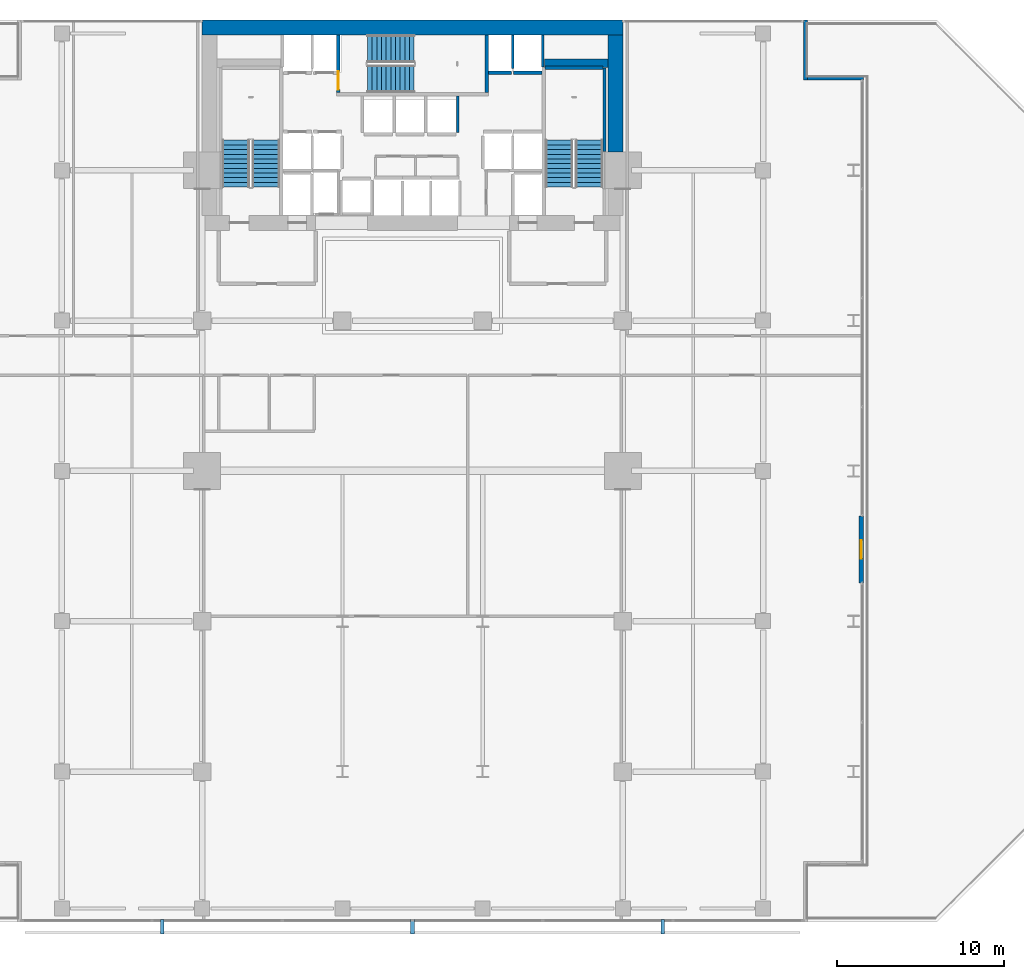
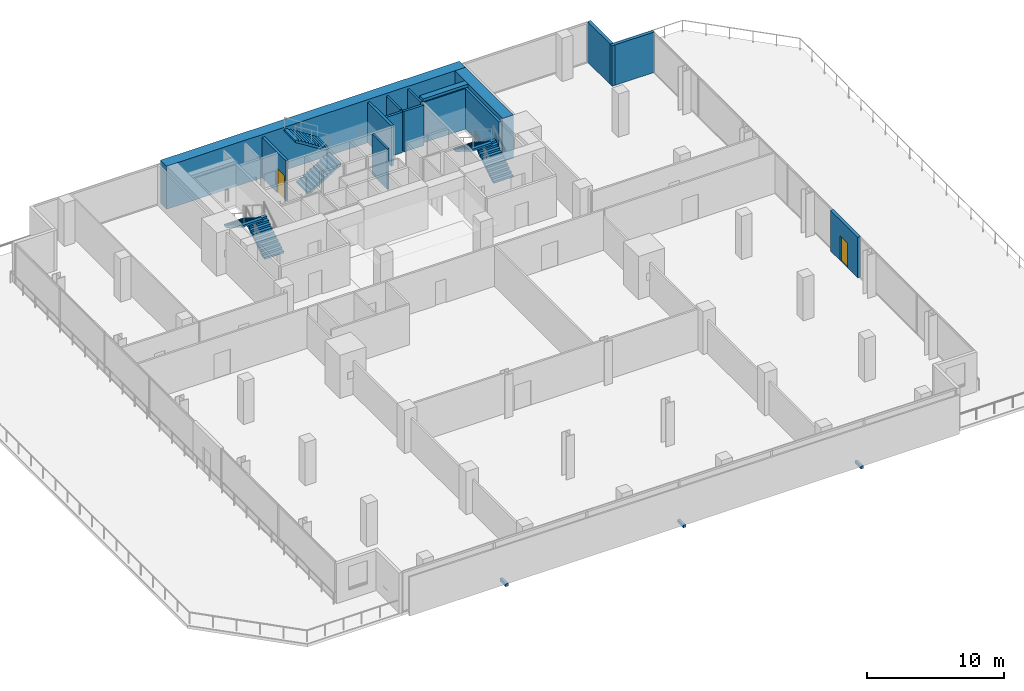
# One storey, part 27 of 31: 15 walls, 6 stair flights, 3 discrete accessories, 2 doors, 2 openings, 3 elements without a shape of their own.
"""IFC4 building model written with IfcOpenShell, lengths in metres."""

from ifc_helpers import new_model, si_unit, direction, frame, frame_2d, origin, origin_2d, place, context, subcontext, project, spatial, polyline, rectangle, outline, extrude, material, layer, layer_set, type_object, element, fill, aggregate, save


model = new_model("IFC4")

# Units and contexts
model_context = context("Model", 3, precision=1e-05, world=origin(), true_north=direction((0.0, 1.0)))
body_context = subcontext(model_context, "Body", "Model", "MODEL_VIEW")
ifc_project = project(units=[si_unit("LENGTHUNIT", "METRE"), si_unit("AREAUNIT", "SQUARE_METRE"), si_unit("VOLUMEUNIT", "CUBIC_METRE"), si_unit("PLANEANGLEUNIT", "RADIAN"), si_unit("MASSUNIT", "GRAM", prefix="KILO")], contexts=[model_context])

# Site, building, storey
site_placement = place(None, origin())
site = spatial("IfcSite", under=ifc_project, at=site_placement, CompositionType="ELEMENT")
building_placement = place(site_placement, origin())
building = spatial("IfcBuilding", under=site, at=building_placement, Name="Maruvema Waterfront Hotel and Observation Tower", CompositionType="ELEMENT")
storey_placement = place(building_placement, frame((0.0, 0.0, 26.949951171875)))
storey = spatial("IfcBuildingStorey", under=building, at=storey_placement, Name="L05", CompositionType="ELEMENT", Elevation=26.949951171875)

# Wall
ifc_material_1 = material(Name="Precast concrete C45/55", Category="concrete")
ifc_layer_1 = layer(ifc_material_1, 0.199951171875, Name="Core Shaft and Stairwell Enclosure Wall 200 mm")
ifc_layer_set_1 = layer_set([ifc_layer_1], Name="Precast concrete C45/55")
wall_type_1 = type_object("IfcWallType", Name="Core Shaft and Stairwell Enclosure Wall 200 mm", PredefinedType="SOLIDWALL", material=ifc_layer_set_1)
wall_1_placement = place(storey_placement, frame((42.25, 49.64990234375, 0.0), z_axis=(0.0, 0.0, 1.0), x_axis=(0.0, 1.0, 0.0)))
element("IfcWall", 1, at=wall_1_placement, inside=storey, type_object=wall_type_1, Name="L05 Stairwell ST-02 Shaft Wall", PredefinedType="SOLIDWALL", context=body_context, shape_type="SweptSolid", body=[
    extrude(rectangle(XDim=3.4501953125, YDim=0.199951171875, at=frame_2d((1.72509765625, 0.0))), origin(), (0.0, 0.0, 1.0), 3.610107421875),
])

# Wall, opening, door
wall_2_placement = place(storey_placement, frame((33.35009765625, 49.64990234375, 0.0), z_axis=(0.0, 0.0, 1.0), x_axis=(0.0, 1.0, 0.0)))
wall_2 = element("IfcWall", 2, at=wall_2_placement, inside=storey, type_object=wall_type_1, Name="L05 Stairwell ST-02 Shaft Wall", PredefinedType="SOLIDWALL", context=body_context, shape_type="SweptSolid", body=[
    extrude(rectangle(XDim=3.4501953125, YDim=0.199951171875, at=frame_2d((1.72509765625, 0.0))), origin(), (0.0, 0.0, 1.0), 3.610107421875),
])
opening_1_placement = place(wall_2_placement, frame((0.179931640625, 0.0, 0.0)))
opening_1 = element("IfcOpeningElement", 3, at=opening_1_placement, cuts=wall_2, Name="Opening SD-02", PredefinedType="OPENING", context=body_context, shape_type="SweptSolid", body=[
    extrude(rectangle(XDim=1.10009765625, YDim=2.14990234375, at=frame_2d((0.550048828125, 1.074951171875))), frame((0.0, 0.10986328125, 0.0), z_axis=(0.0, -1.0, 0.0), x_axis=(1.0, 0.0, 0.0)), (0.0, 0.0, 1.0), 0.219970703125),
])
ifc_material_2 = material(Name="Fire-rated galvanised steel leaf", Category="steel")
door_type_1 = type_object("IfcDoorType", Name="Central Exit Stair Fire Door 1100x2150 mm", OperationType="NOTDEFINED", PredefinedType="DOOR", material=ifc_material_2)
door_1_placement = place(opening_1_placement, frame((1.10009765625, 0.0, 0.0), z_axis=(0.0, 0.0, 1.0), x_axis=(-1.0, 0.0, 0.0)))
door_1 = element("IfcDoor", 4, at=door_1_placement, inside=storey, type_object=door_type_1, Name="L05 Exit Stair ST-02 Fire Door", OperationType="SINGLE_SWING_LEFT", OverallHeight=2.14990234375, OverallWidth=1.10009765625, PredefinedType="DOOR", context=body_context, shape_type="SweptSolid", body=[
    extrude(rectangle(XDim=1.10009765625, YDim=2.14990234375, at=frame_2d((0.550048828125, 1.074951171875))), frame((0.0, 0.02490234375, 0.0), z_axis=(0.0, -1.0, 0.0), x_axis=(1.0, 0.0, 0.0)), (0.0, 0.0, 1.0), 0.050048828125),
])
fill(opening_1, door_1)

# Walls
wall_3_placement = place(storey_placement, frame((49.300048828125, 46.1201171875, 0.0), z_axis=(0.0, 0.0, 1.0), x_axis=(0.0, 1.0, 0.0)))
element("IfcWall", 5, at=wall_3_placement, inside=storey, type_object=wall_type_1, Name="L05 Stairwell ST-03 Shaft Lining Wall", PredefinedType="SOLIDWALL", context=body_context, shape_type="SweptSolid", body=[
    extrude(rectangle(XDim=5.0, YDim=0.199951171875, at=frame_2d((2.5, 0.0))), origin(), (0.0, 0.0, 1.0), 3.610107421875),
])
wall_4_placement = place(storey_placement, frame((45.719970703125, 51.14990234375, 0.0), z_axis=(0.0, 0.0, 1.0), x_axis=(1.0, 0.0, 0.0)))
element("IfcWall", 6, at=wall_4_placement, inside=storey, type_object=wall_type_1, Name="L05 Stairwell ST-03 Shaft Lining Wall", PredefinedType="SOLIDWALL", context=body_context, shape_type="SweptSolid", body=[
    extrude(rectangle(XDim=3.5, YDim=0.199951171875, at=frame_2d((1.75, 0.0))), origin(), (0.0, 0.0, 1.0), 3.610107421875),
])
wall_5_placement = place(storey_placement, frame((42.360107421875, 50.85009765625, 0.0), z_axis=(0.0, 0.0, 1.0), x_axis=(1.0, 0.0, 0.0)))
element("IfcWall", 7, at=wall_5_placement, inside=storey, type_object=wall_type_1, Name="L05 Lift LF-07 Hoistway Front Wall", PredefinedType="SOLIDWALL", context=body_context, shape_type="SweptSolid", body=[
    extrude(rectangle(XDim=1.3798828125, YDim=0.199951171875, at=frame_2d((0.68994140625, 0.0))), origin(), (0.0, 0.0, 1.0), 3.610107421875),
])
wall_6_placement = place(storey_placement, frame((43.860107421875, 50.85009765625, 0.0), z_axis=(0.0, 0.0, 1.0), x_axis=(1.0, 0.0, 0.0)))
element("IfcWall", 8, at=wall_6_placement, inside=storey, type_object=wall_type_1, Name="L05 Lift LF-08 Hoistway Front Wall", PredefinedType="SOLIDWALL", context=body_context, shape_type="SweptSolid", body=[
    extrude(rectangle(XDim=1.679931640625, YDim=0.199951171875, at=frame_2d((0.83984375, 0.0))), origin(), (0.0, 0.0, 1.0), 3.610107421875),
])
ifc_material_3 = material(Name="Concrete C70/85", Category="concrete")
ifc_layer_2 = layer(ifc_material_3, 0.5, Name="Core Shear Wall 500 mm")
ifc_layer_set_2 = layer_set([ifc_layer_2], Name="Concrete C70/85")
wall_type_2 = type_object("IfcWallType", Name="Core Shear Wall 500 mm", PredefinedType="SHEAR", material=ifc_layer_set_2)
wall_7_placement = place(storey_placement, frame((45.699951171875, 51.39990234375, 0.0), z_axis=(0.0, 0.0, 1.0), x_axis=(1.0, 0.0, 0.0)))
element("IfcWall", 9, at=wall_7_placement, inside=storey, type_object=wall_type_2, Name="L05 Internal Core Shear Wall NE 500 mm", PredefinedType="SHEAR", context=body_context, shape_type="SweptSolid", body=[
    extrude(rectangle(XDim=3.800048828125, YDim=0.5, at=frame_2d((1.89990234375, 0.0))), origin(), (0.0, 0.0, 1.0), 3.85009765625),
])
ifc_material_4 = material(Name="Concrete C80/95", Category="concrete")
ifc_layer_3 = layer(ifc_material_4, 0.89990234375, Name="Core Shear Wall 900 mm")
ifc_layer_set_3 = layer_set([ifc_layer_3], Name="Concrete C80/95")
wall_type_3 = type_object("IfcWallType", Name="Core Shear Wall 900 mm", PredefinedType="SHEAR", material=ifc_layer_set_3)
wall_8_placement = place(storey_placement, frame((25.199951171875, 53.550048828125, 0.0), z_axis=(0.0, 0.0, 1.0), x_axis=(1.0, 0.0, 0.0)))
element("IfcWall", 10, at=wall_8_placement, inside=storey, type_object=wall_type_3, Name="L05 North Core Shear Wall", PredefinedType="SHEAR", context=body_context, shape_type="SweptSolid", body=[
    extrude(rectangle(XDim=25.199951171875, YDim=0.89990234375, at=frame_2d((12.60009765625, 0.0))), origin(), (0.0, 0.0, 1.0), 3.85009765625),
])
wall_9_placement = place(storey_placement, frame((49.949951171875, 46.10009765625, 0.0), z_axis=(0.0, 0.0, 1.0), x_axis=(0.0, 1.0, 0.0)))
element("IfcWall", 11, at=wall_9_placement, inside=storey, type_object=wall_type_3, Name="L05 East-North Core Shear Wall", PredefinedType="SHEAR", context=body_context, shape_type="SweptSolid", body=[
    extrude(rectangle(XDim=7.0, YDim=0.89990234375, at=frame_2d((3.5, 0.0))), origin(), (0.0, 0.0, 1.0), 3.85009765625),
])
ifc_material_5 = material(Name="Precast concrete C45/55 with honed Pernambuco granite facing", Category="masonry")
ifc_layer_4 = layer(ifc_material_5, 0.260009765625, Name="Exterior Granite Clad Spandrel and Pier Wall 260 mm")
ifc_layer_set_4 = layer_set([ifc_layer_4], Name="Precast concrete C45/55 with honed Pernambuco granite facing")
wall_type_4 = type_object("IfcWallType", Name="Exterior Granite Clad Spandrel and Pier Wall 260 mm", PredefinedType="SOLIDWALL", material=ifc_layer_set_4)
for number, where, z_axis, x_axis, name in (
    (12, (61.330078125, 54.0, 0.0), (0.0, 0.0, 1.0), (0.0, -1.0, 0.0), "L05 Corner Notch Granite Pier Wall NE1"),
    (13, (61.199951171875, 50.530029296875, 0.0), (0.0, 0.0, 1.0), (1.0, 0.0, 0.0), "L05 Corner Notch Granite Pier Wall NE2"),
):
    element("IfcWall", number, at=place(storey_placement, frame(where, z_axis=z_axis, x_axis=x_axis)), inside=storey, type_object=wall_type_4, Name=name, PredefinedType="SOLIDWALL", context=body_context, shape_type="SweptSolid", body=[
        extrude(rectangle(XDim=3.60009765625, YDim=0.260009765625, at=frame_2d((1.800048828125, 0.0))), origin(), (0.0, 0.0, 1.0), 3.610107421875),
    ])

# Wall, opening, door
wall_10_placement = place(storey_placement, frame((64.669921875, 20.300048828125, 0.0), z_axis=(0.0, 0.0, 1.0), x_axis=(0.0, 1.0, 0.0)))
wall_10 = element("IfcWall", 14, at=wall_10_placement, inside=storey, type_object=wall_type_4, Name="L05 E Terrace Access Wall", PredefinedType="SOLIDWALL", context=body_context, shape_type="SweptSolid", body=[
    extrude(rectangle(XDim=4.0, YDim=0.260009765625, at=frame_2d((2.0, 0.0))), origin(), (0.0, 0.0, 1.0), 3.610107421875),
])
opening_2_placement = place(wall_10_placement, frame((1.449951171875, 0.0, 0.0)))
opening_2 = element("IfcOpeningElement", 15, at=opening_2_placement, cuts=wall_10, Name="Opening TD-01", PredefinedType="OPENING", context=body_context, shape_type="SweptSolid", body=[
    extrude(rectangle(XDim=1.10009765625, YDim=2.199951171875, at=frame_2d((0.550048828125, 1.10009765625))), frame((0.0, 0.14013671875, 0.0), z_axis=(0.0, -1.0, 0.0), x_axis=(1.0, 0.0, 0.0)), (0.0, 0.0, 1.0), 0.280029296875),
])
ifc_material_6 = material(Name="Anodised bronze aluminium and laminated safety glass", Category="aluminium")
door_type_2 = type_object("IfcDoorType", Name="Setback Terrace Weatherproof Glazed Door 1100x2200 mm", OperationType="NOTDEFINED", PredefinedType="DOOR", material=ifc_material_6)
door_2_placement = place(opening_2_placement, frame((1.10009765625, 0.0, 0.0), z_axis=(0.0, 0.0, 1.0), x_axis=(-1.0, 0.0, 0.0)))
door_2 = element("IfcDoor", 16, at=door_2_placement, inside=storey, type_object=door_type_2, Name="L05 E Terrace Access Door", OperationType="SINGLE_SWING_RIGHT", OverallHeight=2.199951171875, OverallWidth=1.10009765625, PredefinedType="DOOR", context=body_context, shape_type="SweptSolid", body=[
    extrude(rectangle(XDim=1.10009765625, YDim=2.199951171875, at=frame_2d((0.550048828125, 1.10009765625))), frame((0.0, 0.02490234375, 0.0), z_axis=(0.0, -1.0, 0.0), x_axis=(1.0, 0.0, 0.0)), (0.0, 0.0, 1.0), 0.050048828125),
])
fill(opening_2, door_2)

# Walls
ifc_material_7 = material(Name="Precast concrete C45/55", Category="concrete")
ifc_layer_5 = layer(ifc_material_7, 0.159912109375, Name="Lift Hoistway Divider Wall 160 mm")
ifc_layer_set_5 = layer_set([ifc_layer_5], Name="Precast concrete C45/55")
wall_type_5 = type_object("IfcWallType", Name="Lift Hoistway Divider Wall 160 mm", PredefinedType="SOLIDWALL", material=ifc_layer_set_5)
wall_11_placement = place(storey_placement, frame((45.590087890625, 51.179931640625, 0.0), z_axis=(0.0, 0.0, 1.0), x_axis=(0.0, 1.0, 0.0)))
element("IfcWall", 17, at=wall_11_placement, inside=storey, type_object=wall_type_5, Name="L05 Hoistway Divider Wall", PredefinedType="SOLIDWALL", context=body_context, shape_type="SweptSolid", body=[
    extrude(rectangle(XDim=1.920166015625, YDim=0.159912109375, at=frame_2d((0.9599609375, 0.0))), origin(), (0.0, 0.0, 1.0), 3.610107421875),
])
wall_12_placement = place(storey_placement, frame((43.800048828125, 51.10009765625, 0.0), z_axis=(0.0, 0.0, 1.0), x_axis=(0.0, 1.0, 0.0)))
element("IfcWall", 18, at=wall_12_placement, inside=storey, type_object=wall_type_5, Name="L05 Hoistway Divider Wall", PredefinedType="SOLIDWALL", context=body_context, shape_type="SweptSolid", body=[
    extrude(rectangle(XDim=2.0, YDim=0.159912109375, at=frame_2d((1.0, 0.0))), origin(), (0.0, 0.0, 1.0), 3.610107421875),
])
wall_13_placement = place(storey_placement, frame((40.5, 47.25, 0.0), z_axis=(0.0, 0.0, 1.0), x_axis=(0.0, 1.0, 0.0)))
element("IfcWall", 19, at=wall_13_placement, inside=storey, type_object=wall_type_5, Name="L05 Hoistway Divider Wall", PredefinedType="SOLIDWALL", context=body_context, shape_type="SweptSolid", body=[
    extrude(rectangle(XDim=2.18994140625, YDim=0.159912109375, at=frame_2d((1.094970703125, 0.0))), origin(), (0.0, 0.0, 1.0), 3.610107421875),
])

# Stair, stair flights
ifc_material_8 = material(Name="Concrete C50/60", Category="concrete")
stair_type = type_object("IfcStairType", Name="Dogleg Exit Stair 1650 mm (22R x 175.0 mm)", PredefinedType="HALF_TURN_STAIR", material=ifc_material_8)
stair_1_placement = place(storey_placement, origin())
stair_1 = element("IfcStair", 20, at=stair_1_placement, inside=storey, type_object=stair_type, Name="L05 ST-01", PredefinedType="HALF_TURN_STAIR")
ifc_material_9 = material(Name="Concrete C50/60", Category="concrete")
stair_flight_type = type_object("IfcStairFlightType", Name="Reinforced Concrete Stair Flight 1650 mm (11R x 175.0 mm)", PredefinedType="STRAIGHT", material=ifc_material_9)
stair_flight_1_placement = place(storey_placement, frame((29.02490234375, 44.0, 0.0), z_axis=(0.0, 0.0, 1.0), x_axis=(0.0, 1.0, 0.0)))
stair_flight_1 = element("IfcStairFlight", 21, at=stair_flight_1_placement, type_object=stair_flight_type, Name="ST-01 flight 1", NumberOfRisers=11, NumberOfTreads=10, PredefinedType="STRAIGHT", RiserHeight=0.175, TreadLength=0.28, context=body_context, shape_type="SweptSolid", body=[
    extrude(outline(polyline([(0.0, 0.0), (0.0, 0.175048828125), (0.280029296875, 0.175048828125), (0.280029296875, 0.35009765625), (0.56005859375, 0.35009765625), (0.56005859375, 0.52490234375), (0.840087890625, 0.52490234375), (0.840087890625, 0.699951171875), (1.1201171875, 0.699951171875), (1.1201171875, 0.875), (1.39990234375, 0.875), (1.39990234375, 1.050048828125), (1.679931640625, 1.050048828125), (1.679931640625, 1.22509765625), (1.9599609375, 1.22509765625), (1.9599609375, 1.39990234375), (2.239990234375, 1.39990234375), (2.239990234375, 1.574951171875), (2.52001953125, 1.574951171875), (2.52001953125, 1.75), (2.800048828125, 1.75), (2.800048828125, 1.925048828125), (2.800048828125, 1.5732421875), (0.28271484375, 0.0), (0.0, 0.0)])), frame((0.0, 0.824951171875, 0.0), z_axis=(0.0, -1.0, 0.0), x_axis=(1.0, 0.0, 0.0)), (0.0, 0.0, 1.0), 1.64990234375),
])
stair_flight_2_placement = place(storey_placement, frame((27.22509765625, 46.800048828125, 1.925048828125), z_axis=(0.0, 0.0, 1.0), x_axis=(0.0, -1.0, 0.0)))
stair_flight_2 = element("IfcStairFlight", 22, at=stair_flight_2_placement, type_object=stair_flight_type, Name="ST-01 flight 2", NumberOfRisers=11, NumberOfTreads=10, PredefinedType="STRAIGHT", RiserHeight=0.175, TreadLength=0.28, context=body_context, shape_type="SweptSolid", body=[
    extrude(outline(polyline([(0.0, 0.0), (0.0, 0.175048828125), (0.280029296875, 0.175048828125), (0.280029296875, 0.35009765625), (0.56005859375, 0.35009765625), (0.56005859375, 0.52490234375), (0.840087890625, 0.52490234375), (0.840087890625, 0.699951171875), (1.1201171875, 0.699951171875), (1.1201171875, 0.875), (1.39990234375, 0.875), (1.39990234375, 1.050048828125), (1.679931640625, 1.050048828125), (1.679931640625, 1.22509765625), (1.9599609375, 1.22509765625), (1.9599609375, 1.39990234375), (2.239990234375, 1.39990234375), (2.239990234375, 1.574951171875), (2.52001953125, 1.574951171875), (2.52001953125, 1.75), (2.800048828125, 1.75), (2.800048828125, 1.925048828125), (2.800048828125, 1.5732421875), (0.28271484375, 0.0), (0.0, 0.0)])), frame((0.0, 0.824951171875, 0.0), z_axis=(0.0, -1.0, 0.0), x_axis=(1.0, 0.0, 0.0)), (0.0, 0.0, 1.0), 1.64990234375),
])
aggregate(stair_1, [stair_flight_1, stair_flight_2])

stair_2_placement = place(storey_placement, origin())
stair_2 = element("IfcStair", 23, at=stair_2_placement, inside=storey, type_object=stair_type, Name="L05 ST-02", PredefinedType="HALF_TURN_STAIR")
stair_flight_3_placement = place(storey_placement, frame((35.10009765625, 50.47509765625, 0.0), z_axis=(0.0, 0.0, 1.0), x_axis=(1.0, 0.0, 0.0)))
stair_flight_3 = element("IfcStairFlight", 24, at=stair_flight_3_placement, type_object=stair_flight_type, Name="ST-02 flight 1", NumberOfRisers=11, NumberOfTreads=10, PredefinedType="STRAIGHT", RiserHeight=0.175, TreadLength=0.28, context=body_context, shape_type="SweptSolid", body=[
    extrude(outline(polyline([(0.0, 0.0), (0.0, 0.175048828125), (0.280029296875, 0.175048828125), (0.280029296875, 0.35009765625), (0.56005859375, 0.35009765625), (0.56005859375, 0.52490234375), (0.840087890625, 0.52490234375), (0.840087890625, 0.699951171875), (1.1201171875, 0.699951171875), (1.1201171875, 0.875), (1.39990234375, 0.875), (1.39990234375, 1.050048828125), (1.679931640625, 1.050048828125), (1.679931640625, 1.22509765625), (1.9599609375, 1.22509765625), (1.9599609375, 1.39990234375), (2.239990234375, 1.39990234375), (2.239990234375, 1.574951171875), (2.52001953125, 1.574951171875), (2.52001953125, 1.75), (2.800048828125, 1.75), (2.800048828125, 1.925048828125), (2.800048828125, 1.5732421875), (0.28271484375, 0.0), (0.0, 0.0)])), frame((0.0, 0.824951171875, 0.0), z_axis=(0.0, -1.0, 0.0), x_axis=(1.0, 0.0, 0.0)), (0.0, 0.0, 1.0), 1.64990234375),
])
stair_flight_4_placement = place(storey_placement, frame((37.89990234375, 52.27490234375, 1.925048828125), z_axis=(0.0, 0.0, 1.0), x_axis=(-1.0, 0.0, 0.0)))
stair_flight_4 = element("IfcStairFlight", 25, at=stair_flight_4_placement, type_object=stair_flight_type, Name="ST-02 flight 2", NumberOfRisers=11, NumberOfTreads=10, PredefinedType="STRAIGHT", RiserHeight=0.175, TreadLength=0.28, context=body_context, shape_type="SweptSolid", body=[
    extrude(outline(polyline([(0.0, 0.0), (0.0, 0.175048828125), (0.280029296875, 0.175048828125), (0.280029296875, 0.35009765625), (0.56005859375, 0.35009765625), (0.56005859375, 0.52490234375), (0.840087890625, 0.52490234375), (0.840087890625, 0.699951171875), (1.1201171875, 0.699951171875), (1.1201171875, 0.875), (1.39990234375, 0.875), (1.39990234375, 1.050048828125), (1.679931640625, 1.050048828125), (1.679931640625, 1.22509765625), (1.9599609375, 1.22509765625), (1.9599609375, 1.39990234375), (2.239990234375, 1.39990234375), (2.239990234375, 1.574951171875), (2.52001953125, 1.574951171875), (2.52001953125, 1.75), (2.800048828125, 1.75), (2.800048828125, 1.925048828125), (2.800048828125, 1.5732421875), (0.28271484375, 0.0), (0.0, 0.0)])), frame((0.0, 0.824951171875, 0.0), z_axis=(0.0, -1.0, 0.0), x_axis=(1.0, 0.0, 0.0)), (0.0, 0.0, 1.0), 1.64990234375),
])
aggregate(stair_2, [stair_flight_3, stair_flight_4])

stair_3_placement = place(storey_placement, origin())
stair_3 = element("IfcStair", 26, at=stair_3_placement, inside=storey, type_object=stair_type, Name="L05 ST-03", PredefinedType="HALF_TURN_STAIR")
stair_flight_5_placement = place(storey_placement, frame((48.375, 44.0, 0.0), z_axis=(0.0, 0.0, 1.0), x_axis=(0.0, 1.0, 0.0)))
stair_flight_5 = element("IfcStairFlight", 27, at=stair_flight_5_placement, type_object=stair_flight_type, Name="ST-03 flight 1", NumberOfRisers=11, NumberOfTreads=10, PredefinedType="STRAIGHT", RiserHeight=0.175, TreadLength=0.28, context=body_context, shape_type="SweptSolid", body=[
    extrude(outline(polyline([(0.0, 0.0), (0.0, 0.175048828125), (0.280029296875, 0.175048828125), (0.280029296875, 0.35009765625), (0.56005859375, 0.35009765625), (0.56005859375, 0.52490234375), (0.840087890625, 0.52490234375), (0.840087890625, 0.699951171875), (1.1201171875, 0.699951171875), (1.1201171875, 0.875), (1.39990234375, 0.875), (1.39990234375, 1.050048828125), (1.679931640625, 1.050048828125), (1.679931640625, 1.22509765625), (1.9599609375, 1.22509765625), (1.9599609375, 1.39990234375), (2.239990234375, 1.39990234375), (2.239990234375, 1.574951171875), (2.52001953125, 1.574951171875), (2.52001953125, 1.75), (2.800048828125, 1.75), (2.800048828125, 1.925048828125), (2.800048828125, 1.5732421875), (0.28271484375, 0.0), (0.0, 0.0)])), frame((0.0, 0.824951171875, 0.0), z_axis=(0.0, -1.0, 0.0), x_axis=(1.0, 0.0, 0.0)), (0.0, 0.0, 1.0), 1.64990234375),
])
stair_flight_6_placement = place(storey_placement, frame((46.574951171875, 46.800048828125, 1.925048828125), z_axis=(0.0, 0.0, 1.0), x_axis=(0.0, -1.0, 0.0)))
stair_flight_6 = element("IfcStairFlight", 28, at=stair_flight_6_placement, type_object=stair_flight_type, Name="ST-03 flight 2", NumberOfRisers=11, NumberOfTreads=10, PredefinedType="STRAIGHT", RiserHeight=0.175, TreadLength=0.28, context=body_context, shape_type="SweptSolid", body=[
    extrude(outline(polyline([(0.0, 0.0), (0.0, 0.175048828125), (0.280029296875, 0.175048828125), (0.280029296875, 0.35009765625), (0.56005859375, 0.35009765625), (0.56005859375, 0.52490234375), (0.840087890625, 0.52490234375), (0.840087890625, 0.699951171875), (1.1201171875, 0.699951171875), (1.1201171875, 0.875), (1.39990234375, 0.875), (1.39990234375, 1.050048828125), (1.679931640625, 1.050048828125), (1.679931640625, 1.22509765625), (1.9599609375, 1.22509765625), (1.9599609375, 1.39990234375), (2.239990234375, 1.39990234375), (2.239990234375, 1.574951171875), (2.52001953125, 1.574951171875), (2.52001953125, 1.75), (2.800048828125, 1.75), (2.800048828125, 1.925048828125), (2.800048828125, 1.5732421875), (0.28271484375, 0.0), (0.0, 0.0)])), frame((0.0, 0.824951171875, 0.0), z_axis=(0.0, -1.0, 0.0), x_axis=(1.0, 0.0, 0.0)), (0.0, 0.0, 1.0), 1.64990234375),
])
aggregate(stair_3, [stair_flight_5, stair_flight_6])

# Discrete accessories
ifc_material_10 = material(Name="Duplex stainless steel Grade 2205", Category="steel")
discrete_accessory_type = type_object("IfcDiscreteAccessoryType", Name="Double-Skin Cavity Stainless Outrigger Bracket", PredefinedType="BRACKET", material=ifc_material_10)
for number, where, z_axis, x_axis, name in (
    (29, (22.823974609375, -0.300048828125, -0.14013671875), (0.0, 0.0, 1.0), (1.0, 0.0, 0.0), "L05 Outer Skin Support Bracket 1"),
    (30, (37.800048828125, -0.300048828125, -0.14013671875), (0.0, 0.0, 1.0), (1.0, 0.0, 0.0), "L05 Outer Skin Support Bracket 2"),
    (31, (52.77587890625, -0.300048828125, -0.14013671875), (0.0, 0.0, 1.0), (1.0, 0.0, 0.0), "L05 Outer Skin Support Bracket 3"),
):
    element("IfcDiscreteAccessory", number, at=place(storey_placement, frame(where, z_axis=z_axis, x_axis=x_axis)), inside=storey, type_object=discrete_accessory_type, Name=name, PredefinedType="BRACKET", context=body_context, shape_type="SweptSolid", body=[
        extrude(rectangle(XDim=0.219970703125, YDim=0.860107421875, at=origin_2d()), origin(), (0.0, 0.0, 1.0), 0.239990234375),
    ])

save(model, "model.ifc")
